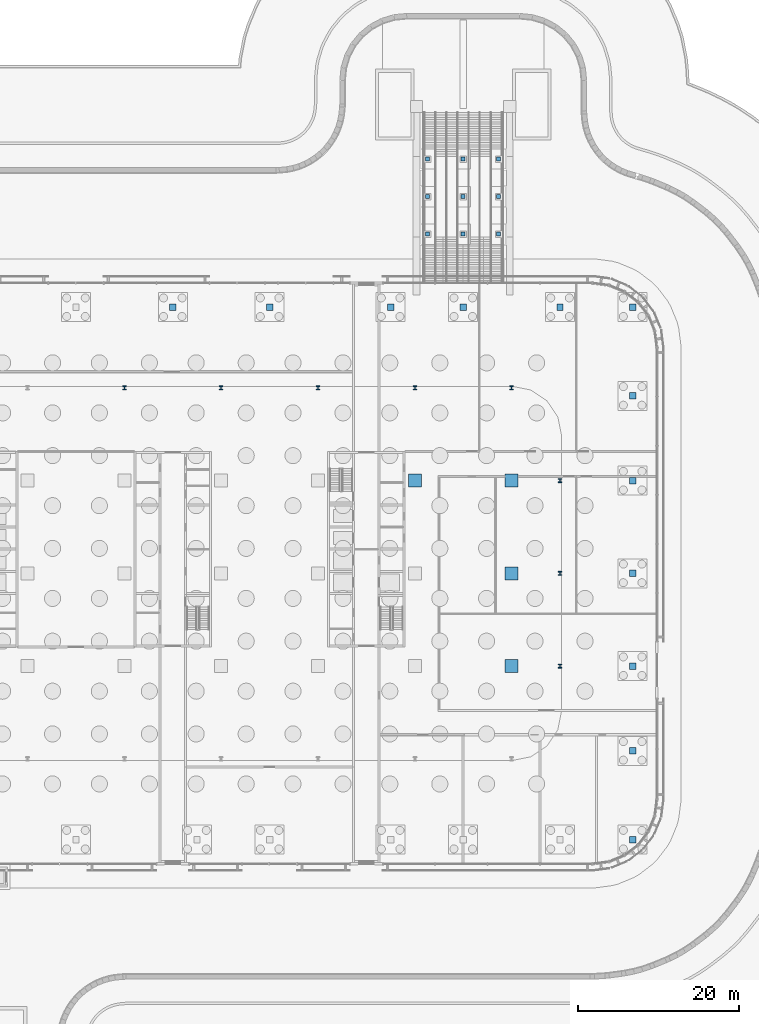
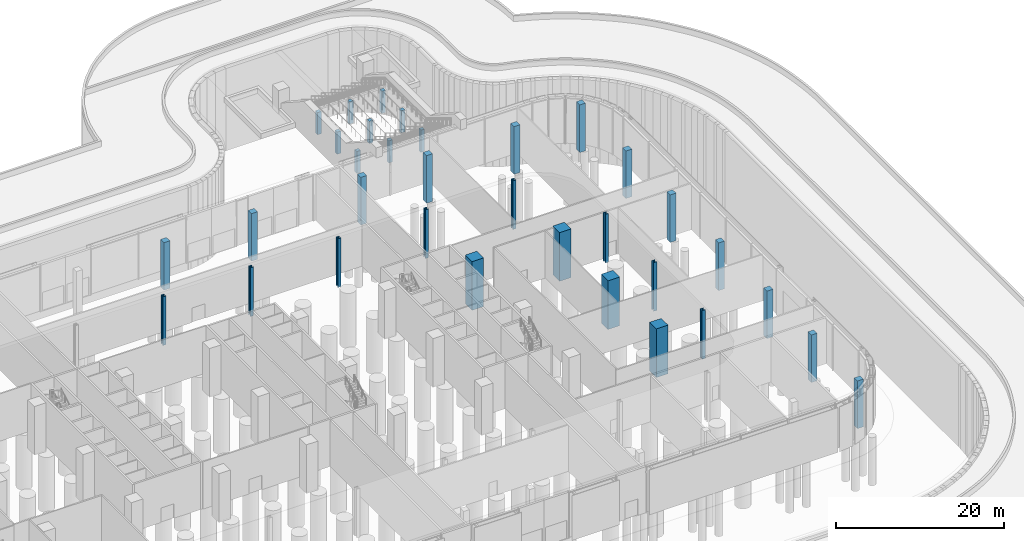
# One storey, part 5 of 48: 33 columns.
"""IFC4 building model written with IfcOpenShell, lengths in metres."""

from ifc_helpers import new_model, si_unit, direction, frame, origin, origin_2d, place, context, subcontext, project, spatial, rectangle, i_section, extrude, material, material_profile, profile_set, type_object, element, save


model = new_model("IFC4")

# Units and contexts
model_context = context("Model", 3, precision=1e-05, world=origin(), true_north=direction((0.0, 1.0)))
body_context = subcontext(model_context, "Body", "Model", "MODEL_VIEW")
ifc_project = project(units=[si_unit("LENGTHUNIT", "METRE"), si_unit("AREAUNIT", "SQUARE_METRE"), si_unit("VOLUMEUNIT", "CUBIC_METRE"), si_unit("PLANEANGLEUNIT", "RADIAN"), si_unit("MASSUNIT", "GRAM", prefix="KILO")], contexts=[model_context])

# Site, building, storey
site_placement = place(None, origin())
site = spatial("IfcSite", under=ifc_project, at=site_placement, CompositionType="ELEMENT")
building_placement = place(site_placement, origin())
building = spatial("IfcBuilding", under=site, at=building_placement, Name="Mahtab Terrace Research Tower", CompositionType="ELEMENT")
storey_placement = place(building_placement, origin())
storey = spatial("IfcBuildingStorey", under=building, at=storey_placement, Name="G", CompositionType="ELEMENT", Elevation=0.0)

# Columns
ifc_material_1 = material(Name="Concrete C70/85", Category="concrete")
ifc_material_profile_1 = material_profile(ifc_material_1, rectangle(XDim=1.60009765625, YDim=1.60009765625, at=origin_2d()), Name="RC column 1600x1600")
ifc_profile_set_1 = profile_set([ifc_material_profile_1], Name="Concrete C70/85")
column_type_1 = type_object("IfcColumnType", Name="RC column 1600x1600", PredefinedType="COLUMN", material=ifc_profile_set_1)
for number, where, z_axis, x_axis, name in (
    (1, (30.0, 11.5, -0.199951171875), (0.0, 0.0, 1.0), (1.0, 0.0, 0.0), "Column RC-7C G"),
    (2, (42.0, -11.5, -0.199951171875), (0.0, 0.0, 1.0), (1.0, 0.0, 0.0), "Column RC-8A G"),
    (3, (42.0, 0.0, -0.199951171875), (0.0, 0.0, 1.0), (1.0, 0.0, 0.0), "Column RC-8B G"),
    (4, (42.0, 11.5, -0.199951171875), (0.0, 0.0, 1.0), (1.0, 0.0, 0.0), "Column RC-8C G"),
):
    element("IfcColumn", number, at=place(storey_placement, frame(where, z_axis=z_axis, x_axis=x_axis)), inside=storey, type_object=column_type_1, Name=name, PredefinedType="COLUMN", context=body_context, shape_type="SweptSolid", body=[
        extrude(rectangle(XDim=1.60009765625, YDim=1.60009765625, at=origin_2d()), origin(), (0.0, 0.0, 1.0), 7.06005859375),
    ])
ifc_material_profile_2 = material_profile(ifc_material_1, rectangle(XDim=0.5, YDim=0.5, at=origin_2d()), Name="RC column 500x500")
ifc_profile_set_2 = profile_set([ifc_material_profile_2], Name="Concrete C70/85")
column_type_2 = type_object("IfcColumnType", Name="RC column 500x500", PredefinedType="COLUMN", material=ifc_profile_set_2)
for number, where, z_axis, x_axis, name in (
    (5, (31.60009765625, 51.35009765625, 0.0), (0.0, 0.0, 1.0), (1.0, 0.0, 0.0), "Stair landing column PS2-1-1"),
    (6, (31.60009765625, 46.699951171875, 0.0), (0.0, 0.0, 1.0), (1.0, 0.0, 0.0), "Stair landing column PS2-1-2"),
    (7, (31.60009765625, 42.050048828125, 0.0), (0.0, 0.0, 1.0), (1.0, 0.0, 0.0), "Stair landing column PS2-1-3"),
    (8, (36.0, 51.35009765625, 0.0), (0.0, 0.0, 1.0), (1.0, 0.0, 0.0), "Stair landing column PS2-2-1"),
    (9, (36.0, 46.699951171875, 0.0), (0.0, 0.0, 1.0), (1.0, 0.0, 0.0), "Stair landing column PS2-2-2"),
    (10, (36.0, 42.050048828125, 0.0), (0.0, 0.0, 1.0), (1.0, 0.0, 0.0), "Stair landing column PS2-2-3"),
    (11, (40.39990234375, 51.35009765625, 0.0), (0.0, 0.0, 1.0), (1.0, 0.0, 0.0), "Stair landing column PS2-3-1"),
    (12, (40.39990234375, 46.699951171875, 0.0), (0.0, 0.0, 1.0), (1.0, 0.0, 0.0), "Stair landing column PS2-3-2"),
    (13, (40.39990234375, 42.050048828125, 0.0), (0.0, 0.0, 1.0), (1.0, 0.0, 0.0), "Stair landing column PS2-3-3"),
):
    element("IfcColumn", number, at=place(storey_placement, frame(where, z_axis=z_axis, x_axis=x_axis)), inside=storey, type_object=column_type_2, Name=name, PredefinedType="COLUMN", context=body_context, shape_type="SweptSolid", body=[
        extrude(rectangle(XDim=0.5, YDim=0.5, at=origin_2d()), origin(), (0.0, 0.0, 1.0), 3.212158203125),
    ])
ifc_material_profile_3 = material_profile(ifc_material_1, rectangle(XDim=0.800048828125, YDim=0.800048828125, at=origin_2d()), Name="RC column 800 deck")
ifc_profile_set_3 = profile_set([ifc_material_profile_3], Name="Concrete C70/85")
column_type_3 = type_object("IfcColumnType", Name="RC column 800 deck", PredefinedType="COLUMN", material=ifc_profile_set_3)
for number, where, z_axis, x_axis, name in (
    (14, (57.0, -33.0, -0.199951171875), (0.0, 0.0, 1.0), (1.0, 0.0, 0.0), "Deck column DC-11"),
    (15, (0.0, 33.0, -0.199951171875), (0.0, 0.0, 1.0), (1.0, 0.0, 0.0), "Deck column DC-17"),
    (16, (12.0, 33.0, -0.199951171875), (0.0, 0.0, 1.0), (1.0, 0.0, 0.0), "Deck column DC-18"),
    (17, (27.0, 33.0, -0.199951171875), (0.0, 0.0, 1.0), (1.0, 0.0, 0.0), "Deck column DC-19"),
    (18, (36.0, 33.0, -0.199951171875), (0.0, 0.0, 1.0), (1.0, 0.0, 0.0), "Deck column DC-20"),
    (19, (48.0, 33.0, -0.199951171875), (0.0, 0.0, 1.0), (1.0, 0.0, 0.0), "Deck column DC-21"),
    (20, (57.0, 33.0, -0.199951171875), (0.0, 0.0, 1.0), (1.0, 0.0, 0.0), "Deck column DC-22"),
    (21, (57.0, -22.0, -0.199951171875), (0.0, 0.0, 1.0), (1.0, 0.0, 0.0), "Deck column DC-28"),
    (22, (57.0, -11.5, -0.199951171875), (0.0, 0.0, 1.0), (1.0, 0.0, 0.0), "Deck column DC-29"),
    (23, (57.0, 0.0, -0.199951171875), (0.0, 0.0, 1.0), (1.0, 0.0, 0.0), "Deck column DC-30"),
    (24, (57.0, 11.5, -0.199951171875), (0.0, 0.0, 1.0), (1.0, 0.0, 0.0), "Deck column DC-31"),
    (25, (57.0, 22.0, -0.199951171875), (0.0, 0.0, 1.0), (1.0, 0.0, 0.0), "Deck column DC-32"),
):
    element("IfcColumn", number, at=place(storey_placement, frame(where, z_axis=z_axis, x_axis=x_axis)), inside=storey, type_object=column_type_3, Name=name, PredefinedType="COLUMN", context=body_context, shape_type="SweptSolid", body=[
        extrude(rectangle(XDim=0.800048828125, YDim=0.800048828125, at=origin_2d()), origin(), (0.0, 0.0, 1.0), 6.89990234375),
    ])
ifc_material_2 = material(Name="Steel ASTM A992 Gr 50", Category="steel")
ifc_material_profile_4 = material_profile(ifc_material_2, i_section(OverallWidth=0.431884765625, OverallDepth=0.497802734375, WebThickness=0.0556640625, FlangeThickness=0.0888671875, at=origin_2d()), Name="W14X500")
ifc_profile_set_4 = profile_set([ifc_material_profile_4], Name="Steel ASTM A992 Gr 50")
column_type_4 = type_object("IfcColumnType", Name="W14x500 column CS14500", PredefinedType="COLUMN", material=ifc_profile_set_4)
for number, where, z_axis, x_axis, name in (
    (26, (42.0, 23.0, -0.199951171875), (0.0, 0.0, 1.0), (1.0, 0.0, 0.0), "Column SC-001 G"),
    (27, (30.0, 23.0, -0.199951171875), (0.0, 0.0, 1.0), (1.0, 0.0, 0.0), "Column SC-002 G"),
    (28, (18.0, 23.0, -0.199951171875), (0.0, 0.0, 1.0), (1.0, 0.0, 0.0), "Column SC-003 G"),
    (29, (6.0, 23.0, -0.199951171875), (0.0, 0.0, 1.0), (1.0, 0.0, 0.0), "Column SC-004 G"),
    (30, (-6.0, 23.0, -0.199951171875), (0.0, 0.0, 1.0), (1.0, 0.0, 0.0), "Column SC-005 G"),
    (31, (48.0, -11.5, -0.199951171875), (0.0, 0.0, 1.0), (1.0, 0.0, 0.0), "Column SC-020 G"),
    (32, (48.0, 0.0, -0.199951171875), (0.0, 0.0, 1.0), (1.0, 0.0, 0.0), "Column SC-021 G"),
    (33, (48.0, 11.5, -0.199951171875), (0.0, 0.0, 1.0), (1.0, 0.0, 0.0), "Column SC-022 G"),
):
    element("IfcColumn", number, at=place(storey_placement, frame(where, z_axis=z_axis, x_axis=x_axis)), inside=storey, type_object=column_type_4, Name=name, PredefinedType="COLUMN", context=body_context, shape_type="SweptSolid", body=[
        extrude(i_section(OverallWidth=0.431884765625, OverallDepth=0.497802734375, WebThickness=0.0556640625, FlangeThickness=0.0888671875, at=origin_2d()), origin(), (0.0, 0.0, 1.0), 7.06005859375),
    ])

save(model, "model.ifc")
